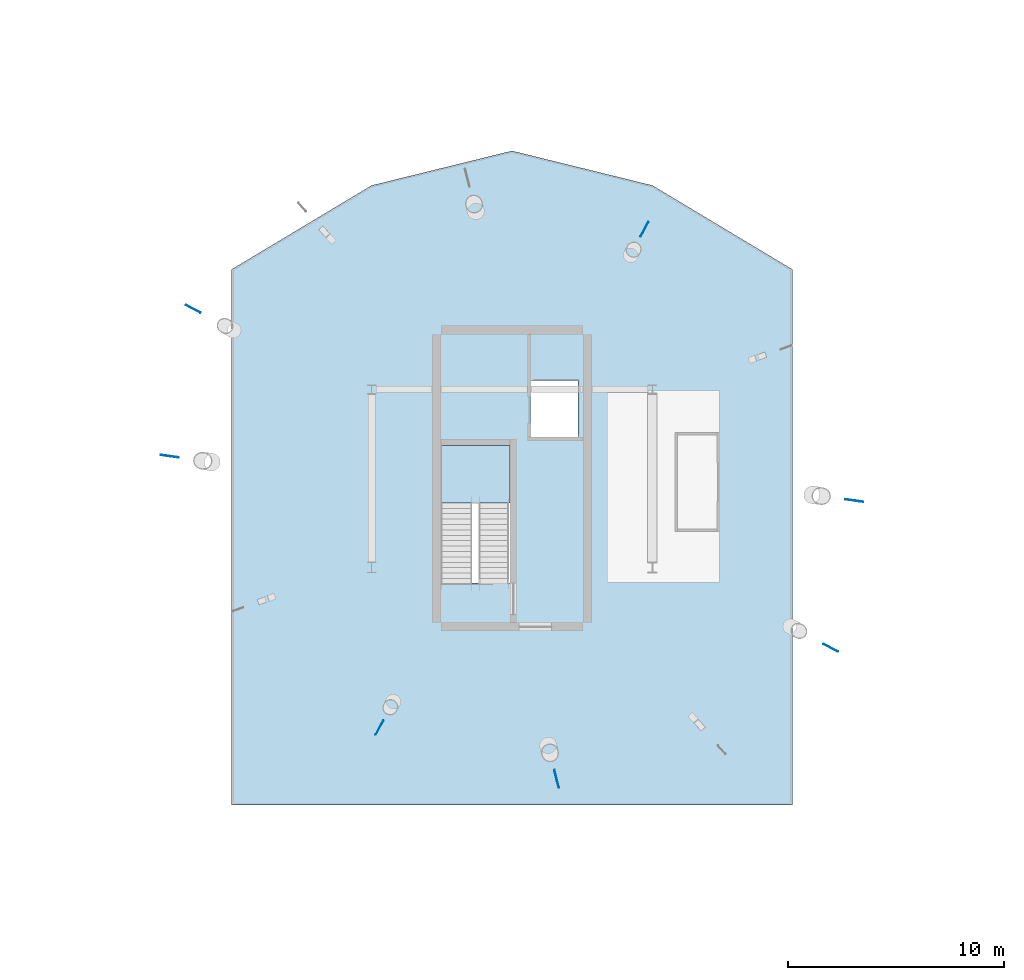
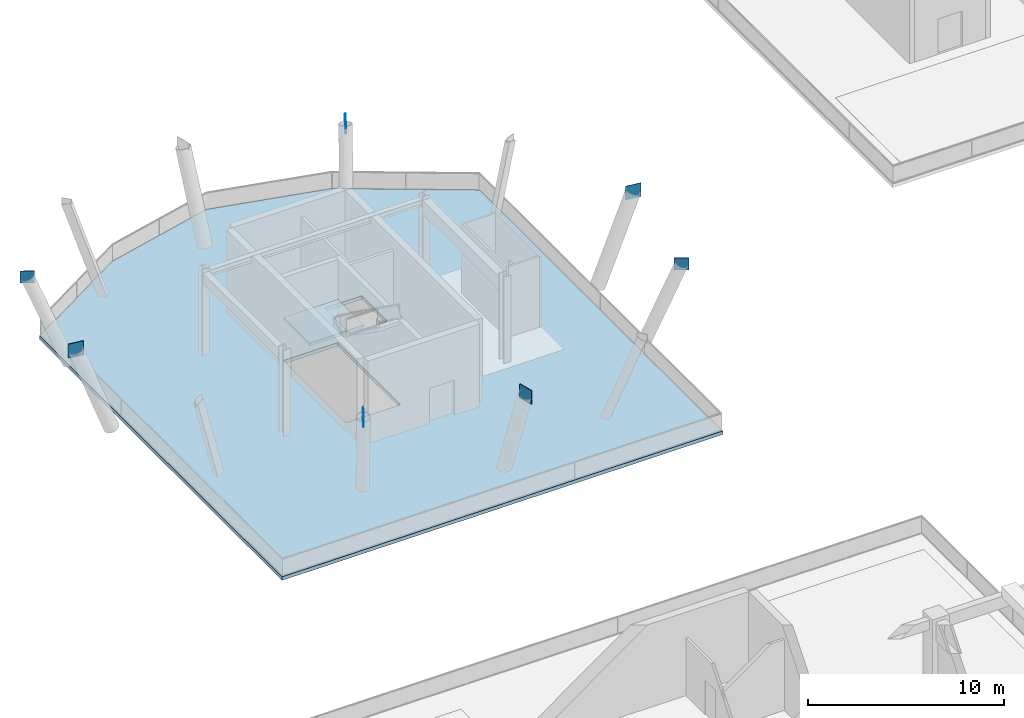
# One storey, part 76 of 117: 7 plates, 2 slabs, 1 element without a shape of its own.
"""IFC4 building model written with IfcOpenShell, lengths in metres."""

from ifc_helpers import new_model, si_unit, direction, frame, origin, origin_2d, place, context, subcontext, project, spatial, polyline, rectangle, outline, extrude, material, layer, layer_set, type_object, element, aggregate, save


model = new_model("IFC4")

# Units and contexts
model_context = context("Model", 3, precision=1e-05, world=origin(), true_north=direction((0.0, 1.0)))
body_context = subcontext(model_context, "Body", "Model", "MODEL_VIEW")
ifc_project = project(units=[si_unit("LENGTHUNIT", "METRE"), si_unit("AREAUNIT", "SQUARE_METRE"), si_unit("VOLUMEUNIT", "CUBIC_METRE"), si_unit("PLANEANGLEUNIT", "RADIAN"), si_unit("MASSUNIT", "GRAM", prefix="KILO")], contexts=[model_context])

# Site, building, storey
site_placement = place(None, origin())
site = spatial("IfcSite", under=ifc_project, at=site_placement, CompositionType="ELEMENT")
building_placement = place(site_placement, origin())
building = spatial("IfcBuilding", under=site, at=building_placement, Name="Linyun Crest Stadium", CompositionType="ELEMENT")
storey_placement = place(building_placement, frame((0.0, 0.0, 6.0)))
storey = spatial("IfcBuildingStorey", under=building, at=storey_placement, Name="L02", CompositionType="ELEMENT", Elevation=6.0)

# Plates
ifc_material_1 = material(Name="Steel Q420C", Category="steel")
ifc_layer_1 = layer(ifc_material_1, 0.028076171875)
ifc_layer_set_1 = layer_set([ifc_layer_1], Name="Steel Q420C")
plate_type = type_object("IfcPlateType", Name="EP03", PredefinedType="USERDEFINED", material=ifc_layer_set_1)
plate_1_placement = place(storey_placement, frame((-58.735107421875, 76.77490234375, 5.0224609375), z_axis=(0.0, 0.0, 1.0), x_axis=(0.883111415554, -0.469163327338, 0.0)))
element("IfcPlate", 1, at=plate_1_placement, inside=storey, type_object=plate_type, Name="Hollow section cap end plate EP03 341", ObjectType="END PLATE", PredefinedType="USERDEFINED", context=body_context, shape_type="SweptSolid", body=[
    extrude(rectangle(XDim=0.7509765625, YDim=0.028076171875, at=origin_2d()), origin(), (0.0, 0.0, 1.0), 0.7509765625),
])
plate_2_placement = place(storey_placement, frame((-57.64599609375, 83.596923828125, 4.971435546875), z_axis=(0.0, 0.0, 1.0), x_axis=(0.990605176244, -0.136753006543, 0.0)))
element("IfcPlate", 2, at=plate_2_placement, inside=storey, type_object=plate_type, Name="Hollow section cap end plate EP03 346", ObjectType="END PLATE", PredefinedType="USERDEFINED", context=body_context, shape_type="SweptSolid", body=[
    extrude(rectangle(XDim=0.85302734375, YDim=0.028076171875, at=origin_2d()), origin(), (0.0, 0.0, 1.0), 0.85302734375),
])
for number, where, z_axis, x_axis, name in (
    (3, (-67.364013671875, 96.166015625, 5.0224609375), (0.0, 0.0, 1.0), (0.469471562786, 0.882947592859, 0.0), "Hollow section cap end plate EP03 356"),
    (4, (-88.264892578125, 92.47509765625, 5.0224609375), (0.0, 0.0, 1.0), (-0.883111415554, 0.469163327338, 0.0), "Hollow section cap end plate EP03 371"),
):
    element("IfcPlate", number, at=place(storey_placement, frame(where, z_axis=z_axis, x_axis=x_axis)), inside=storey, type_object=plate_type, Name=name, ObjectType="END PLATE", PredefinedType="USERDEFINED", context=body_context, shape_type="SweptSolid", body=[
        extrude(rectangle(XDim=0.7509765625, YDim=0.028076171875, at=origin_2d()), origin(), (0.0, 0.0, 1.0), 0.7509765625),
    ])
plate_3_placement = place(storey_placement, frame((-89.35400390625, 85.653076171875, 4.971435546875), z_axis=(0.0, 0.0, 1.0), x_axis=(-0.990605176244, 0.136753006543, 0.0)))
element("IfcPlate", 5, at=plate_3_placement, inside=storey, type_object=plate_type, Name="Hollow section cap end plate EP03 376", ObjectType="END PLATE", PredefinedType="USERDEFINED", context=body_context, shape_type="SweptSolid", body=[
    extrude(rectangle(XDim=0.85302734375, YDim=0.028076171875, at=origin_2d()), origin(), (0.0, 0.0, 1.0), 0.85302734375),
])
plate_4_placement = place(storey_placement, frame((-79.635986328125, 73.083984375, 5.0224609375), z_axis=(0.0, 0.0, 1.0), x_axis=(-0.469471562786, -0.882947592859, 0.0)))
element("IfcPlate", 6, at=plate_4_placement, inside=storey, type_object=plate_type, Name="Hollow section cap end plate EP03 386", ObjectType="END PLATE", PredefinedType="USERDEFINED", context=body_context, shape_type="SweptSolid", body=[
    extrude(rectangle(XDim=0.7509765625, YDim=0.028076171875, at=origin_2d()), origin(), (0.0, 0.0, 1.0), 0.7509765625),
])
plate_5_placement = place(storey_placement, frame((-71.431884765625, 70.705078125, 4.971435546875), z_axis=(0.0, 0.0, 1.0), x_axis=(0.246322451985, -0.96918793309, 0.0)))
element("IfcPlate", 7, at=plate_5_placement, inside=storey, type_object=plate_type, Name="Hollow section cap end plate EP03 391", ObjectType="END PLATE", PredefinedType="USERDEFINED", context=body_context, shape_type="SweptSolid", body=[
    extrude(rectangle(XDim=0.85302734375, YDim=0.028076171875, at=origin_2d()), origin(), (0.0, 0.0, 1.0), 0.85302734375),
])

# Slab
ifc_material_2 = material(Name="Concrete C40", Category="concrete")
ifc_layer_2 = layer(ifc_material_2, 0.219970703125)
ifc_layer_set_2 = layer_set([ifc_layer_2], Name="Concrete C40")
slab_type_1 = type_object("IfcSlabType", Name="FS03", PredefinedType="FLOOR", material=ifc_layer_set_2)
slab_1_placement = place(storey_placement, frame((0.0, 0.0, -0.219970703125)))
element("IfcSlab", 8, at=slab_1_placement, inside=storey, type_object=slab_type_1, Name="Slab FS03 V5 L02 48", PredefinedType="FLOOR", context=body_context, shape_type="SweptSolid", body=[
    extrude(outline(polyline([(-86.5, 69.5), (-60.5, 69.5), (-60.5, 94.300048828125), (-67.0, 98.199951171875), (-73.5, 99.800048828125), (-80.0, 98.199951171875), (-86.5, 94.300048828125), (-86.5, 69.5)]), holes=[polyline([(-76.800048828125, 79.77001953125), (-76.800048828125, 86.14990234375), (-73.60009765625, 86.14990234375), (-73.60009765625, 79.77001953125), (-76.800048828125, 79.77001953125)]), polyline([(-72.64990234375, 86.550048828125), (-72.64990234375, 89.14990234375), (-70.449951171875, 89.14990234375), (-70.449951171875, 86.550048828125), (-72.64990234375, 86.550048828125)])]), origin(), (0.0, 0.0, 1.0), 0.219970703125),
])

# Stair, slab
ifc_material_3 = material(Name="Concrete C40", Category="concrete")
stair_type = type_object("IfcStairType", Name="STA02", PredefinedType="HALF_TURN_STAIR", material=ifc_material_3)
stair_placement = place(storey_placement, origin())
stair = element("IfcStair", 9, at=stair_placement, inside=storey, type_object=stair_type, Name="Evacuation stair STR-11-L02", PredefinedType="HALF_TURN_STAIR")
ifc_material_4 = material(Name="Concrete C40", Category="concrete")
ifc_layer_3 = layer(ifc_material_4, 0.179931640625)
ifc_layer_set_3 = layer_set([ifc_layer_3], Name="Concrete C40")
slab_type_2 = type_object("IfcSlabType", Name="LS01", PredefinedType="LANDING", material=ifc_layer_set_3)
slab_2_placement = place(storey_placement, frame((0.0, 0.0, 2.52001953125)))
slab_2 = element("IfcSlab", 10, at=slab_2_placement, type_object=slab_type_2, Name="STR-11-L02 half-landing", PredefinedType="LANDING", context=body_context, shape_type="SweptSolid", body=[
    extrude(outline(polyline([(-76.800048828125, 83.489990234375), (-73.60009765625, 83.489990234375), (-73.60009765625, 86.14990234375), (-76.800048828125, 86.14990234375), (-76.800048828125, 83.489990234375)])), origin(), (0.0, 0.0, 1.0), 0.179931640625),
])
aggregate(stair, [slab_2])

save(model, "model.ifc")
